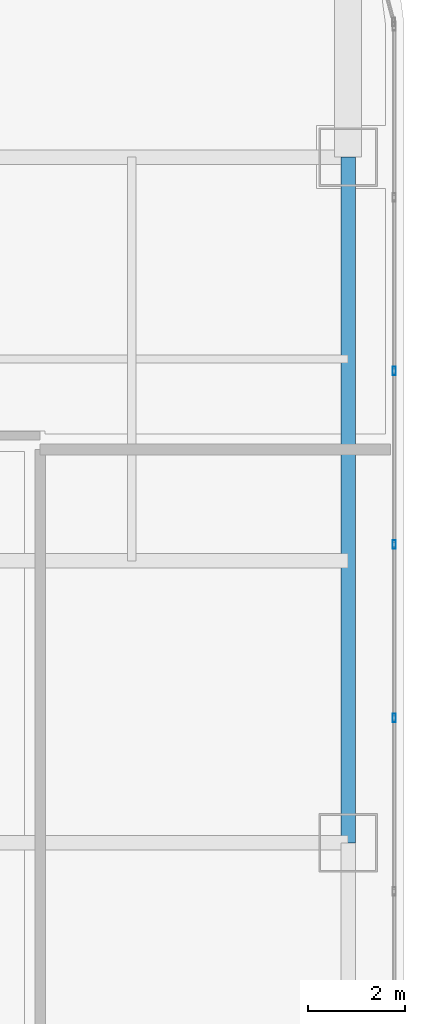
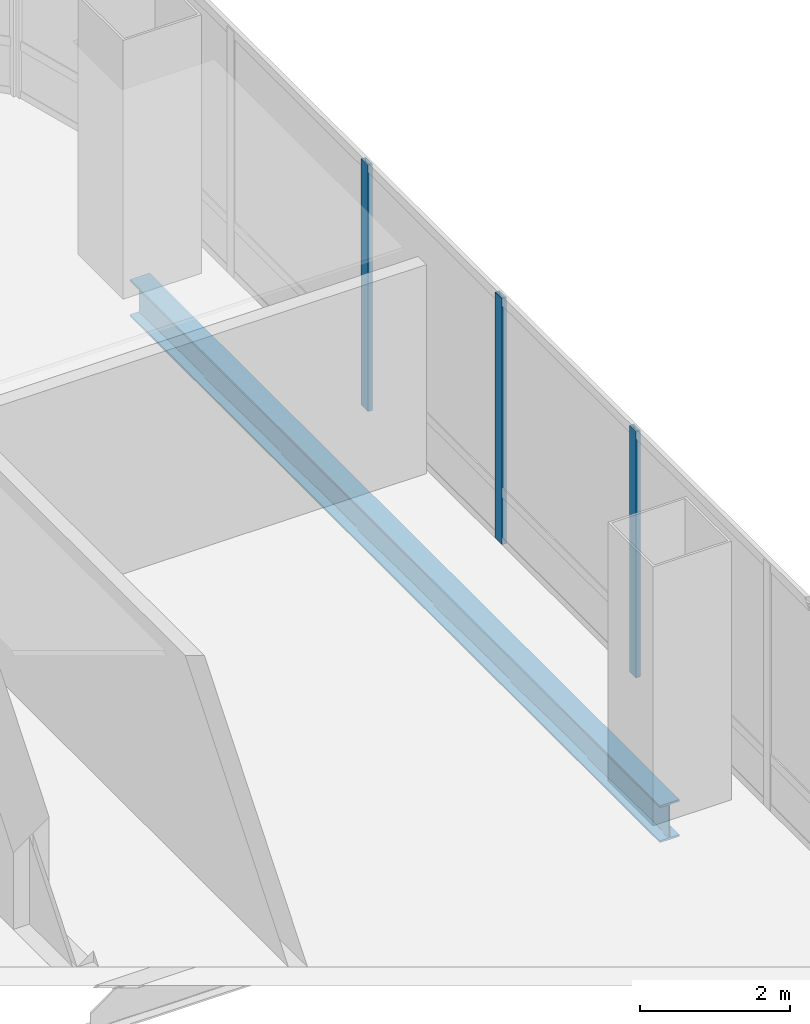
# One storey, part 20 of 42: 3 members, 1 beam, 1 element without a shape of its own.
"""IFC4 building model written with IfcOpenShell, lengths in metres."""

from ifc_helpers import new_model, si_unit, direction, frame, origin, origin_2d, place, context, subcontext, project, spatial, hollow_rectangle, i_section, extrude, material, material_profile, profile_set, type_object, element, aggregate, save


model = new_model("IFC4")

# Units and contexts
model_context = context("Model", 3, precision=1e-05, world=origin(), true_north=direction((0.0, 1.0)))
body_context = subcontext(model_context, "Body", "Model", "MODEL_VIEW")
ifc_project = project(units=[si_unit("LENGTHUNIT", "METRE"), si_unit("AREAUNIT", "SQUARE_METRE"), si_unit("VOLUMEUNIT", "CUBIC_METRE"), si_unit("PLANEANGLEUNIT", "RADIAN"), si_unit("MASSUNIT", "GRAM", prefix="KILO")], contexts=[model_context])

# Site, building, storey
site_placement = place(None, origin())
site = spatial("IfcSite", under=ifc_project, at=site_placement, CompositionType="ELEMENT")
building_placement = place(site_placement, origin())
building = spatial("IfcBuilding", under=site, at=building_placement, Name="Punatoya Terracotta Tower", CompositionType="ELEMENT")
storey_placement = place(building_placement, frame((0.0, 0.0, 296.39990234375)))
storey = spatial("IfcBuildingStorey", under=building, at=storey_placement, Name="L70", CompositionType="ELEMENT", Elevation=296.39990234375)

# Beam
ifc_material_1 = material(Name="Steel S355", Category="steel")
ifc_material_profile_1 = material_profile(ifc_material_1, i_section(OverallWidth=0.300048828125, OverallDepth=0.60009765625, WebThickness=0.015380859375, FlangeThickness=0.030029296875, FilletRadius=0.01806640625, at=origin_2d()))
ifc_profile_set_1 = profile_set([ifc_material_profile_1], Name="Steel S355")
beam_type = type_object("IfcBeamType", Name="BM-PRI-600", PredefinedType="BEAM", material=ifc_profile_set_1)
beam_placement = place(storey_placement, frame((19.10009765625, 3.39990234375, -0.5), z_axis=(0.0, 1.0, 0.0), x_axis=(-1.0, 0.0, 0.0)))
element("IfcBeam", 1, at=beam_placement, inside=storey, type_object=beam_type, Name="BM-L70-RG-E3", PredefinedType="BEAM", context=body_context, shape_type="SweptSolid", body=[
    extrude(i_section(OverallWidth=0.300048828125, OverallDepth=0.60009765625, WebThickness=0.015380859375, FlangeThickness=0.030029296875, FilletRadius=0.01806640625, at=origin_2d()), origin(), (0.0, 0.0, 1.0), 14.10009765625),
])

# Curtain wall, members
ifc_material_2 = material(Name="Aluminium 6063-T6 + Double Low-E Glass", Category="aluminium")
curtain_wall_type = type_object("IfcCurtainWallType", Name="CW-M3", PredefinedType="NOTDEFINED", material=ifc_material_2)
curtain_wall_placement = place(storey_placement, origin())
curtain_wall = element("IfcCurtainWall", 2, at=curtain_wall_placement, inside=storey, type_object=curtain_wall_type, Name="L70 Curtain Wall CW-L70-E05-1", PredefinedType="NOTDEFINED")
ifc_material_3 = material(Name="Aluminium 6063-T6", Category="aluminium")
ifc_material_profile_2 = material_profile(ifc_material_3, hollow_rectangle(XDim=0.070068359375, YDim=0.179931640625, WallThickness=0.00390625, at=origin_2d()))
ifc_profile_set_2 = profile_set([ifc_material_profile_2], Name="Aluminium 6063-T6")
member_type = type_object("IfcMemberType", Name="CW-MUL-M3", PredefinedType="MULLION", material=ifc_profile_set_2)
member_1_placement = place(storey_placement, frame((20.050048828125, 5.96728515625, 0.0), z_axis=(0.0, 0.0, 1.0), x_axis=(1.0, 0.0, 0.0)))
member_1 = element("IfcMember", 3, at=member_1_placement, type_object=member_type, Name="CW-L70-E05-1 Mullion 06", PredefinedType="MULLION", context=body_context, shape_type="SweptSolid", body=[
    extrude(hollow_rectangle(XDim=0.070068359375, YDim=0.179931640625, WallThickness=0.00390625, at=origin_2d()), origin(), (0.0, 0.0, 1.0), 4.0),
])
member_2_placement = place(storey_placement, frame((20.050048828125, 9.534912109375, 0.0), z_axis=(0.0, 0.0, 1.0), x_axis=(1.0, 0.0, 0.0)))
member_2 = element("IfcMember", 4, at=member_2_placement, type_object=member_type, Name="CW-L70-E05-1 Mullion 07", PredefinedType="MULLION", context=body_context, shape_type="SweptSolid", body=[
    extrude(hollow_rectangle(XDim=0.070068359375, YDim=0.179931640625, WallThickness=0.00390625, at=origin_2d()), origin(), (0.0, 0.0, 1.0), 4.0),
])
member_3_placement = place(storey_placement, frame((20.050048828125, 13.10205078125, 0.0), z_axis=(0.0, 0.0, 1.0), x_axis=(1.0, 0.0, 0.0)))
member_3 = element("IfcMember", 5, at=member_3_placement, type_object=member_type, Name="CW-L70-E05-1 Mullion 08", PredefinedType="MULLION", context=body_context, shape_type="SweptSolid", body=[
    extrude(hollow_rectangle(XDim=0.070068359375, YDim=0.179931640625, WallThickness=0.00390625, at=origin_2d()), origin(), (0.0, 0.0, 1.0), 4.0),
])
aggregate(curtain_wall, [member_1, member_2, member_3])

save(model, "model.ifc")
